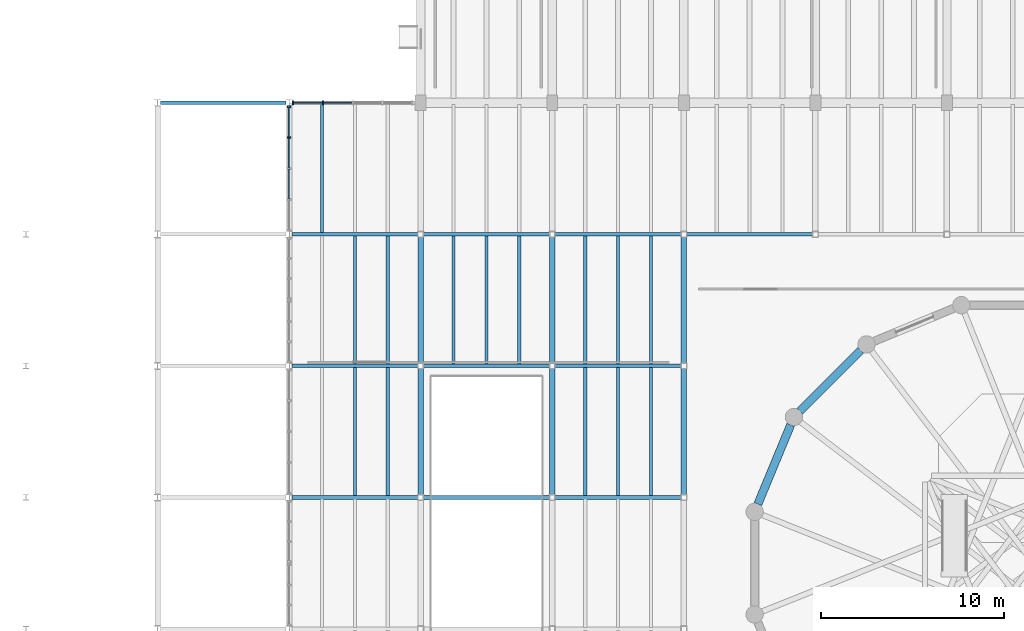
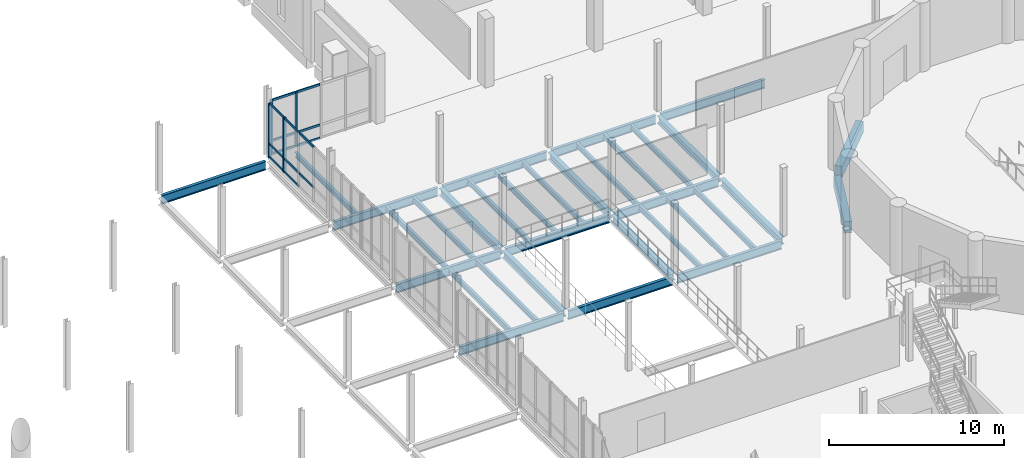
# One storey, part 34 of 77: 33 beams, 18 members, 2 elements without a shape of their own.
"""IFC4 building model written with IfcOpenShell, lengths in metres."""

from ifc_helpers import new_model, si_unit, direction, frame, origin, origin_2d, place, context, subcontext, project, spatial, rectangle, i_section, extrude, material, material_profile, profile_set, type_object, element, aggregate, save


model = new_model("IFC4")

# Units and contexts
model_context = context("Model", 3, precision=1e-05, world=origin(), true_north=direction((0.0, 1.0)))
body_context = subcontext(model_context, "Body", "Model", "MODEL_VIEW")
ifc_project = project(units=[si_unit("LENGTHUNIT", "METRE"), si_unit("AREAUNIT", "SQUARE_METRE"), si_unit("VOLUMEUNIT", "CUBIC_METRE"), si_unit("PLANEANGLEUNIT", "RADIAN"), si_unit("MASSUNIT", "GRAM", prefix="KILO")], contexts=[model_context])

# Site, building, storey
site_placement = place(None, origin())
site = spatial("IfcSite", under=ifc_project, at=site_placement, CompositionType="ELEMENT")
building_placement = place(site_placement, origin())
building = spatial("IfcBuilding", under=site, at=building_placement, Name="Qiaolan Assembly House", CompositionType="ELEMENT")
storey_placement = place(building_placement, frame((0.0, 0.0, 5.39990234375)))
storey = spatial("IfcBuildingStorey", under=building, at=storey_placement, Name="L01", CompositionType="ELEMENT", Elevation=5.39990234375)

# Beams
ifc_material_1 = material(Name="Concrete C40/50", Category="concrete")
ifc_material_profile_1 = material_profile(ifc_material_1, rectangle(XDim=0.449951171875, YDim=0.800048828125, at=origin_2d()), Name="RCB 450x800")
ifc_profile_set_1 = profile_set([ifc_material_profile_1], Name="Concrete C40/50")
beam_type_1 = type_object("IfcBeamType", Name="BM-RC-450x800", PredefinedType="BEAM", material=ifc_profile_set_1)
for number, where, z_axis, x_axis, name in (
    (1, (60.071044921875, 72.84423828125, -0.68994140625), (-0.707132816525, -0.707080744889, 0.0), (0.707080744889, -0.707132816525, 0.0), "GB-03 beam BM-DRUM-L01-05"),
    (2, (56.248779296875, 68.7705078125, -0.68994140625), (-0.382684453598, -0.923879109502, 0.0), (0.923879109502, -0.382684453598, 0.0), "GB-03 beam BM-DRUM-L01-06"),
):
    element("IfcBeam", number, at=place(storey_placement, frame(where, z_axis=z_axis, x_axis=x_axis)), inside=storey, type_object=beam_type_1, Name=name, PredefinedType="BEAM", context=body_context, shape_type="SweptSolid", body=[
        extrude(rectangle(XDim=0.449951171875, YDim=0.800048828125, at=origin_2d()), origin(), (0.0, 0.0, 1.0), 4.6884765625),
    ])
ifc_material_2 = material(Name="Steel Q355B", Category="steel")
ifc_material_profile_2 = material_profile(ifc_material_2, i_section(OverallWidth=0.300048828125, OverallDepth=0.488037109375, WebThickness=0.010986328125, FlangeThickness=0.01806640625, FilletRadius=0.02001953125, at=origin_2d()), Name="HM 488x300x11x18")
ifc_profile_set_2 = profile_set([ifc_material_profile_2], Name="Steel Q355B")
beam_type_2 = type_object("IfcBeamType", Name="BM-STL-HM488", PredefinedType="BEAM", material=ifc_profile_set_2)
for number, where, z_axis, x_axis, name in (
    (3, (36.0, 64.949951171875, -0.5439453125), (0.0, 1.0, 0.0), (-1.0, 0.0, 0.0), "SB-04 beam BMY-HL-L01-02-04"),
    (4, (36.0, 72.14990234375, -0.5439453125), (0.0, 1.0, 0.0), (-1.0, 0.0, 0.0), "SB-04 beam BMY-HL-L01-02-05"),
    (5, (43.199951171875, 64.949951171875, -0.5439453125), (0.0, 1.0, 0.0), (-1.0, 0.0, 0.0), "SB-04 beam BMY-HL-L01-03-04"),
    (6, (43.199951171875, 72.14990234375, -0.5439453125), (0.0, 1.0, 0.0), (-1.0, 0.0, 0.0), "SB-04 beam BMY-HL-L01-03-05"),
    (7, (50.39990234375, 64.949951171875, -0.5439453125), (0.0, 1.0, 0.0), (-1.0, 0.0, 0.0), "SB-04 beam BMY-HL-L01-04-04"),
    (8, (50.39990234375, 72.14990234375, -0.5439453125), (0.0, 1.0, 0.0), (-1.0, 0.0, 0.0), "SB-04 beam BMY-HL-L01-04-05"),
):
    element("IfcBeam", number, at=place(storey_placement, frame(where, z_axis=z_axis, x_axis=x_axis)), inside=storey, type_object=beam_type_2, Name=name, PredefinedType="BEAM", context=body_context, shape_type="SweptSolid", body=[
        extrude(i_section(OverallWidth=0.300048828125, OverallDepth=0.488037109375, WebThickness=0.010986328125, FlangeThickness=0.01806640625, FilletRadius=0.02001953125, at=origin_2d()), origin(), (0.0, 0.0, 1.0), 6.900146484375),
    ])
ifc_material_profile_3 = material_profile(ifc_material_2, i_section(OverallWidth=0.199951171875, OverallDepth=0.60009765625, WebThickness=0.010986328125, FlangeThickness=0.01708984375, FilletRadius=0.02001953125, at=origin_2d()), Name="HN 600x200x11x17")
ifc_profile_set_3 = profile_set([ifc_material_profile_3], Name="Steel Q355B")
beam_type_3 = type_object("IfcBeamType", Name="BM-STL-HN600", PredefinedType="BEAM", material=ifc_profile_set_3)
beam_1_placement = place(storey_placement, frame((28.965087890625, 64.800048828125, -0.599853515625), z_axis=(1.0, 0.0, 0.0), x_axis=(0.0, 1.0, 0.0)))
element("IfcBeam", 9, at=beam_1_placement, inside=storey, type_object=beam_type_3, Name="SB-03 beam BMX-HL-L01-01-04", PredefinedType="BEAM", context=body_context, shape_type="SweptSolid", body=[
    extrude(i_section(OverallWidth=0.199951171875, OverallDepth=0.60009765625, WebThickness=0.010986328125, FlangeThickness=0.01708984375, FilletRadius=0.02001953125, at=origin_2d()), origin(), (0.0, 0.0, 1.0), 6.885009765625),
])
beam_2_placement = place(storey_placement, frame((36.14990234375, 64.800048828125, -0.599853515625), z_axis=(1.0, 0.0, 0.0), x_axis=(0.0, 1.0, 0.0)))
element("IfcBeam", 10, at=beam_2_placement, inside=storey, type_object=beam_type_3, Name="SB-03 beam BMX-HL-L01-02-04", PredefinedType="BEAM", context=body_context, shape_type="SweptSolid", body=[
    extrude(i_section(OverallWidth=0.199951171875, OverallDepth=0.60009765625, WebThickness=0.010986328125, FlangeThickness=0.01708984375, FilletRadius=0.02001953125, at=origin_2d()), origin(), (0.0, 0.0, 1.0), 6.900146484375),
])
beam_3_placement = place(storey_placement, frame((43.35009765625, 64.800048828125, -0.599853515625), z_axis=(1.0, 0.0, 0.0), x_axis=(0.0, 1.0, 0.0)))
element("IfcBeam", 11, at=beam_3_placement, inside=storey, type_object=beam_type_3, Name="SB-03 beam BMX-HL-L01-03-04", PredefinedType="BEAM", context=body_context, shape_type="SweptSolid", body=[
    extrude(i_section(OverallWidth=0.199951171875, OverallDepth=0.60009765625, WebThickness=0.010986328125, FlangeThickness=0.01708984375, FilletRadius=0.02001953125, at=origin_2d()), origin(), (0.0, 0.0, 1.0), 6.89990234375),
])
beam_4_placement = place(storey_placement, frame((28.965087890625, 72.0, -0.599853515625), z_axis=(1.0, 0.0, 0.0), x_axis=(0.0, 1.0, 0.0)))
element("IfcBeam", 12, at=beam_4_placement, inside=storey, type_object=beam_type_3, Name="SB-03 beam BMX-HL-L01-01-05", PredefinedType="BEAM", context=body_context, shape_type="SweptSolid", body=[
    extrude(i_section(OverallWidth=0.199951171875, OverallDepth=0.60009765625, WebThickness=0.010986328125, FlangeThickness=0.01708984375, FilletRadius=0.02001953125, at=origin_2d()), origin(), (0.0, 0.0, 1.0), 6.885009765625),
])
beam_5_placement = place(storey_placement, frame((36.14990234375, 72.0, -0.599853515625), z_axis=(1.0, 0.0, 0.0), x_axis=(0.0, 1.0, 0.0)))
element("IfcBeam", 13, at=beam_5_placement, inside=storey, type_object=beam_type_3, Name="SB-03 beam BMX-HL-L01-02-05", PredefinedType="BEAM", context=body_context, shape_type="SweptSolid", body=[
    extrude(i_section(OverallWidth=0.199951171875, OverallDepth=0.60009765625, WebThickness=0.010986328125, FlangeThickness=0.01708984375, FilletRadius=0.02001953125, at=origin_2d()), origin(), (0.0, 0.0, 1.0), 6.900146484375),
])
beam_6_placement = place(storey_placement, frame((43.35009765625, 72.0, -0.599853515625), z_axis=(1.0, 0.0, 0.0), x_axis=(0.0, 1.0, 0.0)))
element("IfcBeam", 14, at=beam_6_placement, inside=storey, type_object=beam_type_3, Name="SB-03 beam BMX-HL-L01-03-05", PredefinedType="BEAM", context=body_context, shape_type="SweptSolid", body=[
    extrude(i_section(OverallWidth=0.199951171875, OverallDepth=0.60009765625, WebThickness=0.010986328125, FlangeThickness=0.01708984375, FilletRadius=0.02001953125, at=origin_2d()), origin(), (0.0, 0.0, 1.0), 6.89990234375),
])
beam_7_placement = place(storey_placement, frame((28.965087890625, 79.199951171875, -0.599853515625), z_axis=(1.0, 0.0, 0.0), x_axis=(0.0, 1.0, 0.0)))
element("IfcBeam", 15, at=beam_7_placement, inside=storey, type_object=beam_type_3, Name="SB-03 beam BMX-HL-L01-01-06", PredefinedType="BEAM", context=body_context, shape_type="SweptSolid", body=[
    extrude(i_section(OverallWidth=0.199951171875, OverallDepth=0.60009765625, WebThickness=0.010986328125, FlangeThickness=0.01708984375, FilletRadius=0.02001953125, at=origin_2d()), origin(), (0.0, 0.0, 1.0), 6.885009765625),
])
beam_8_placement = place(storey_placement, frame((36.14990234375, 79.199951171875, -0.599853515625), z_axis=(1.0, 0.0, 0.0), x_axis=(0.0, 1.0, 0.0)))
element("IfcBeam", 16, at=beam_8_placement, inside=storey, type_object=beam_type_3, Name="SB-03 beam BMX-HL-L01-02-06", PredefinedType="BEAM", context=body_context, shape_type="SweptSolid", body=[
    extrude(i_section(OverallWidth=0.199951171875, OverallDepth=0.60009765625, WebThickness=0.010986328125, FlangeThickness=0.01708984375, FilletRadius=0.02001953125, at=origin_2d()), origin(), (0.0, 0.0, 1.0), 6.900146484375),
])
for number, where, z_axis, x_axis, name in (
    (17, (43.35009765625, 79.199951171875, -0.599853515625), (1.0, 0.0, 0.0), (0.0, 1.0, 0.0), "SB-03 beam BMX-HL-L01-03-06"),
    (18, (50.550048828125, 79.199951171875, -0.599853515625), (1.0, 0.0, 0.0), (0.0, 1.0, 0.0), "SB-03 beam BMX-HL-L01-04-06"),
):
    element("IfcBeam", number, at=place(storey_placement, frame(where, z_axis=z_axis, x_axis=x_axis)), inside=storey, type_object=beam_type_3, Name=name, PredefinedType="BEAM", context=body_context, shape_type="SweptSolid", body=[
        extrude(i_section(OverallWidth=0.199951171875, OverallDepth=0.60009765625, WebThickness=0.010986328125, FlangeThickness=0.01708984375, FilletRadius=0.02001953125, at=origin_2d()), origin(), (0.0, 0.0, 1.0), 6.89990234375),
    ])
beam_9_placement = place(storey_placement, frame((21.764892578125, 86.39990234375, -0.599853515625), z_axis=(1.0, 0.0, 0.0), x_axis=(0.0, 1.0, 0.0)))
element("IfcBeam", 19, at=beam_9_placement, inside=storey, type_object=beam_type_3, Name="SB-03 beam BMX-HL-L01-00-07", PredefinedType="BEAM", context=body_context, shape_type="SweptSolid", body=[
    extrude(i_section(OverallWidth=0.199951171875, OverallDepth=0.60009765625, WebThickness=0.010986328125, FlangeThickness=0.01708984375, FilletRadius=0.02001953125, at=origin_2d()), origin(), (0.0, 0.0, 1.0), 6.8701171875),
])

# Curtain wall, members
ifc_material_3 = material(Name="Anodised bronze aluminium", Category="aluminium")
curtain_wall_type = type_object("IfcCurtainWallType", Name="CW-HALL-UPPER-480", PredefinedType="NOTDEFINED", material=ifc_material_3)
curtain_wall_1_placement = place(storey_placement, origin())
curtain_wall_1 = element("IfcCurtainWall", 20, at=curtain_wall_1_placement, inside=storey, type_object=curtain_wall_type, Name="CW-01 Hall West facade L01-6", PredefinedType="NOTDEFINED")
ifc_material_profile_4 = material_profile(ifc_material_3, rectangle(XDim=0.0859375, YDim=0.199951171875, at=origin_2d()), Name="MUL 86x200")
ifc_profile_set_4 = profile_set([ifc_material_profile_4], Name="Anodised bronze aluminium")
member_type_1 = type_object("IfcMemberType", Name="CW-HALL-UPPER-480-MUL", PredefinedType="MULLION", material=ifc_profile_set_4)
member_1_placement = place(storey_placement, frame((28.800048828125, 84.489990234375, 0.0), z_axis=(0.0, 0.0, 1.0), x_axis=(0.0, 1.0, 0.0)))
member_1 = element("IfcMember", 21, at=member_1_placement, type_object=member_type_1, Name="ML-02 mullion CW-HALL-W-L01-6-4", PredefinedType="MULLION", context=body_context, shape_type="SweptSolid", body=[
    extrude(rectangle(XDim=0.0859375, YDim=0.199951171875, at=origin_2d()), origin(), (0.0, 0.0, 1.0), 3.800048828125),
])
member_2_placement = place(storey_placement, frame((28.800048828125, 86.179931640625, 0.0), z_axis=(0.0, 0.0, 1.0), x_axis=(0.0, 1.0, 0.0)))
member_2 = element("IfcMember", 22, at=member_2_placement, type_object=member_type_1, Name="ML-02 mullion CW-HALL-W-L01-6-5", PredefinedType="MULLION", context=body_context, shape_type="SweptSolid", body=[
    extrude(rectangle(XDim=0.0859375, YDim=0.199951171875, at=origin_2d()), origin(), (0.0, 0.0, 1.0), 3.800048828125),
])

curtain_wall_2_placement = place(storey_placement, origin())
curtain_wall_2 = element("IfcCurtainWall", 23, at=curtain_wall_2_placement, inside=storey, type_object=curtain_wall_type, Name="CW-02 Hall North-West link CW L01", PredefinedType="NOTDEFINED")
member_3_placement = place(storey_placement, frame((30.64501953125, 86.39990234375, 0.0), z_axis=(0.0, 0.0, 1.0), x_axis=(-1.0, 0.0, 0.0)))
member_3 = element("IfcMember", 24, at=member_3_placement, type_object=member_type_1, Name="ML-02 mullion CW-HALL-NWJ-L01-4", PredefinedType="MULLION", context=body_context, shape_type="SweptSolid", body=[
    extrude(rectangle(XDim=0.0859375, YDim=0.199951171875, at=origin_2d()), origin(), (0.0, 0.0, 1.0), 3.800048828125),
])
member_4_placement = place(storey_placement, frame((29.02001953125, 86.39990234375, 0.0), z_axis=(0.0, 0.0, 1.0), x_axis=(-1.0, 0.0, 0.0)))
member_4 = element("IfcMember", 25, at=member_4_placement, type_object=member_type_1, Name="ML-02 mullion CW-HALL-NWJ-L01-5", PredefinedType="MULLION", context=body_context, shape_type="SweptSolid", body=[
    extrude(rectangle(XDim=0.0859375, YDim=0.199951171875, at=origin_2d()), origin(), (0.0, 0.0, 1.0), 3.800048828125),
])

# Member
ifc_material_profile_5 = material_profile(ifc_material_3, rectangle(XDim=0.075927734375, YDim=0.14990234375, at=origin_2d()), Name="TRN 76x150")
ifc_profile_set_5 = profile_set([ifc_material_profile_5], Name="Anodised bronze aluminium")
member_type_2 = type_object("IfcMemberType", Name="CW-HALL-UPPER-480-TRN", PredefinedType="USERDEFINED", material=ifc_profile_set_5)
member_5_placement = place(storey_placement, frame((28.800048828125, 81.153076171875, 0.9501953125), z_axis=(0.0, 1.0, 0.0), x_axis=(-1.0, 0.0, 0.0)))
member_5 = element("IfcMember", 26, at=member_5_placement, type_object=member_type_2, Name="TR-02 transom CW-HALL-W-L01-6-2-2", ObjectType="TRANSOM", PredefinedType="USERDEFINED", context=body_context, shape_type="SweptSolid", body=[
    extrude(rectangle(XDim=0.075927734375, YDim=0.14990234375, at=origin_2d()), origin(), (0.0, 0.0, 1.0), 1.60400390625),
])

member_6_placement = place(storey_placement, frame((28.800048828125, 81.153076171875, 3.77001953125), z_axis=(0.0, 1.0, 0.0), x_axis=(-1.0, 0.0, 0.0)))
member_6 = element("IfcMember", 27, at=member_6_placement, type_object=member_type_2, Name="TR-02 transom CW-HALL-W-L01-6-2-3", ObjectType="TRANSOM", PredefinedType="USERDEFINED", context=body_context, shape_type="SweptSolid", body=[
    extrude(rectangle(XDim=0.075927734375, YDim=0.14990234375, at=origin_2d()), origin(), (0.0, 0.0, 1.0), 1.60400390625),
])

member_7_placement = place(storey_placement, frame((28.800048828125, 82.843017578125, 0.030029296875), z_axis=(0.0, 1.0, 0.0), x_axis=(-1.0, 0.0, 0.0)))
member_7 = element("IfcMember", 28, at=member_7_placement, type_object=member_type_2, Name="TR-02 transom CW-HALL-W-L01-6-3-1", ObjectType="TRANSOM", PredefinedType="USERDEFINED", context=body_context, shape_type="SweptSolid", body=[
    extrude(rectangle(XDim=0.075927734375, YDim=0.14990234375, at=origin_2d()), origin(), (0.0, 0.0, 1.0), 1.60400390625),
])

member_8_placement = place(storey_placement, frame((28.800048828125, 82.843017578125, 0.9501953125), z_axis=(0.0, 1.0, 0.0), x_axis=(-1.0, 0.0, 0.0)))
member_8 = element("IfcMember", 29, at=member_8_placement, type_object=member_type_2, Name="TR-02 transom CW-HALL-W-L01-6-3-2", ObjectType="TRANSOM", PredefinedType="USERDEFINED", context=body_context, shape_type="SweptSolid", body=[
    extrude(rectangle(XDim=0.075927734375, YDim=0.14990234375, at=origin_2d()), origin(), (0.0, 0.0, 1.0), 1.60400390625),
])

member_9_placement = place(storey_placement, frame((28.800048828125, 82.843017578125, 3.77001953125), z_axis=(0.0, 1.0, 0.0), x_axis=(-1.0, 0.0, 0.0)))
member_9 = element("IfcMember", 30, at=member_9_placement, type_object=member_type_2, Name="TR-02 transom CW-HALL-W-L01-6-3-3", ObjectType="TRANSOM", PredefinedType="USERDEFINED", context=body_context, shape_type="SweptSolid", body=[
    extrude(rectangle(XDim=0.075927734375, YDim=0.14990234375, at=origin_2d()), origin(), (0.0, 0.0, 1.0), 1.60400390625),
])

member_10_placement = place(storey_placement, frame((28.800048828125, 84.532958984375, 0.030029296875), z_axis=(0.0, 1.0, 0.0), x_axis=(-1.0, 0.0, 0.0)))
member_10 = element("IfcMember", 31, at=member_10_placement, type_object=member_type_2, Name="TR-02 transom CW-HALL-W-L01-6-4-1", ObjectType="TRANSOM", PredefinedType="USERDEFINED", context=body_context, shape_type="SweptSolid", body=[
    extrude(rectangle(XDim=0.075927734375, YDim=0.14990234375, at=origin_2d()), origin(), (0.0, 0.0, 1.0), 1.60400390625),
])

member_11_placement = place(storey_placement, frame((28.800048828125, 84.532958984375, 0.9501953125), z_axis=(0.0, 1.0, 0.0), x_axis=(-1.0, 0.0, 0.0)))
member_11 = element("IfcMember", 32, at=member_11_placement, type_object=member_type_2, Name="TR-02 transom CW-HALL-W-L01-6-4-2", ObjectType="TRANSOM", PredefinedType="USERDEFINED", context=body_context, shape_type="SweptSolid", body=[
    extrude(rectangle(XDim=0.075927734375, YDim=0.14990234375, at=origin_2d()), origin(), (0.0, 0.0, 1.0), 1.60400390625),
])

member_12_placement = place(storey_placement, frame((28.800048828125, 84.532958984375, 3.77001953125), z_axis=(0.0, 1.0, 0.0), x_axis=(-1.0, 0.0, 0.0)))
member_12 = element("IfcMember", 33, at=member_12_placement, type_object=member_type_2, Name="TR-02 transom CW-HALL-W-L01-6-4-3", ObjectType="TRANSOM", PredefinedType="USERDEFINED", context=body_context, shape_type="SweptSolid", body=[
    extrude(rectangle(XDim=0.075927734375, YDim=0.14990234375, at=origin_2d()), origin(), (0.0, 0.0, 1.0), 1.60400390625),
])

aggregate(curtain_wall_1, [member_1, member_2, member_5, member_6, member_7, member_8, member_9, member_10, member_11, member_12])

member_13_placement = place(storey_placement, frame((32.22705078125, 86.39990234375, 0.030029296875), z_axis=(-1.0, 0.0, 0.0), x_axis=(0.0, -1.0, 0.0)))
member_13 = element("IfcMember", 34, at=member_13_placement, type_object=member_type_2, Name="TR-02 transom CW-HALL-NWJ-L01-3-1", ObjectType="TRANSOM", PredefinedType="USERDEFINED", context=body_context, shape_type="SweptSolid", body=[
    extrude(rectangle(XDim=0.075927734375, YDim=0.14990234375, at=origin_2d()), origin(), (0.0, 0.0, 1.0), 1.5390625),
])

member_14_placement = place(storey_placement, frame((32.22705078125, 86.39990234375, 0.9501953125), z_axis=(-1.0, 0.0, 0.0), x_axis=(0.0, -1.0, 0.0)))
member_14 = element("IfcMember", 35, at=member_14_placement, type_object=member_type_2, Name="TR-02 transom CW-HALL-NWJ-L01-3-2", ObjectType="TRANSOM", PredefinedType="USERDEFINED", context=body_context, shape_type="SweptSolid", body=[
    extrude(rectangle(XDim=0.075927734375, YDim=0.14990234375, at=origin_2d()), origin(), (0.0, 0.0, 1.0), 1.5390625),
])

member_15_placement = place(storey_placement, frame((32.22705078125, 86.39990234375, 3.77001953125), z_axis=(-1.0, 0.0, 0.0), x_axis=(0.0, -1.0, 0.0)))
member_15 = element("IfcMember", 36, at=member_15_placement, type_object=member_type_2, Name="TR-02 transom CW-HALL-NWJ-L01-3-3", ObjectType="TRANSOM", PredefinedType="USERDEFINED", context=body_context, shape_type="SweptSolid", body=[
    extrude(rectangle(XDim=0.075927734375, YDim=0.14990234375, at=origin_2d()), origin(), (0.0, 0.0, 1.0), 1.5390625),
])

member_16_placement = place(storey_placement, frame((30.60205078125, 86.39990234375, 0.030029296875), z_axis=(-1.0, 0.0, 0.0), x_axis=(0.0, -1.0, 0.0)))
member_16 = element("IfcMember", 37, at=member_16_placement, type_object=member_type_2, Name="TR-02 transom CW-HALL-NWJ-L01-4-1", ObjectType="TRANSOM", PredefinedType="USERDEFINED", context=body_context, shape_type="SweptSolid", body=[
    extrude(rectangle(XDim=0.075927734375, YDim=0.14990234375, at=origin_2d()), origin(), (0.0, 0.0, 1.0), 1.5390625),
])

member_17_placement = place(storey_placement, frame((30.60205078125, 86.39990234375, 0.9501953125), z_axis=(-1.0, 0.0, 0.0), x_axis=(0.0, -1.0, 0.0)))
member_17 = element("IfcMember", 38, at=member_17_placement, type_object=member_type_2, Name="TR-02 transom CW-HALL-NWJ-L01-4-2", ObjectType="TRANSOM", PredefinedType="USERDEFINED", context=body_context, shape_type="SweptSolid", body=[
    extrude(rectangle(XDim=0.075927734375, YDim=0.14990234375, at=origin_2d()), origin(), (0.0, 0.0, 1.0), 1.5390625),
])

member_18_placement = place(storey_placement, frame((30.60205078125, 86.39990234375, 3.77001953125), z_axis=(-1.0, 0.0, 0.0), x_axis=(0.0, -1.0, 0.0)))
member_18 = element("IfcMember", 39, at=member_18_placement, type_object=member_type_2, Name="TR-02 transom CW-HALL-NWJ-L01-4-3", ObjectType="TRANSOM", PredefinedType="USERDEFINED", context=body_context, shape_type="SweptSolid", body=[
    extrude(rectangle(XDim=0.075927734375, YDim=0.14990234375, at=origin_2d()), origin(), (0.0, 0.0, 1.0), 1.5390625),
])

aggregate(curtain_wall_2, [member_3, member_4, member_13, member_14, member_15, member_16, member_17, member_18])

# Beams
ifc_material_profile_6 = material_profile(ifc_material_2, i_section(OverallWidth=0.179931640625, OverallDepth=0.360107421875, WebThickness=0.008056640625, FlangeThickness=0.011962890625, FilletRadius=0.013916015625, at=origin_2d()), Name="HN 360x180x8x12")
ifc_profile_set_6 = profile_set([ifc_material_profile_6], Name="Steel Q355B")
beam_type_4 = type_object("IfcBeamType", Name="JST-STL-HN360", PredefinedType="JOIST", material=ifc_profile_set_6)
for number, where, z_axis, x_axis, name in (
    (40, (32.39990234375, 64.89404296875, -0.47998046875), (0.0, 1.0, 0.0), (-1.0, 0.0, 0.0), "SJ-06 beam JST-HL-L01-01-04-2"),
    (41, (34.199951171875, 64.89404296875, -0.47998046875), (0.0, 1.0, 0.0), (-1.0, 0.0, 0.0), "SJ-06 beam JST-HL-L01-01-04-3"),
    (42, (32.39990234375, 72.093994140625, -0.47998046875), (0.0, 1.0, 0.0), (-1.0, 0.0, 0.0), "SJ-06 beam JST-HL-L01-01-05-2"),
    (43, (34.199951171875, 72.093994140625, -0.47998046875), (0.0, 1.0, 0.0), (-1.0, 0.0, 0.0), "SJ-06 beam JST-HL-L01-01-05-3"),
    (44, (30.60009765625, 79.2939453125, -0.47998046875), (0.0, 1.0, 0.0), (-1.0, 0.0, 0.0), "SJ-06 beam JST-HL-L01-01-06-1"),
    (45, (37.800048828125, 72.093994140625, -0.47998046875), (0.0, 1.0, 0.0), (-1.0, 0.0, 0.0), "SJ-06 beam JST-HL-L01-02-05-1"),
    (46, (39.60009765625, 72.093994140625, -0.47998046875), (0.0, 1.0, 0.0), (-1.0, 0.0, 0.0), "SJ-06 beam JST-HL-L01-02-05-2"),
    (47, (41.39990234375, 72.093994140625, -0.47998046875), (0.0, 1.0, 0.0), (-1.0, 0.0, 0.0), "SJ-06 beam JST-HL-L01-02-05-3"),
    (48, (45.0, 64.89404296875, -0.47998046875), (0.0, 1.0, 0.0), (-1.0, 0.0, 0.0), "SJ-06 beam JST-HL-L01-03-04-1"),
    (49, (46.800048828125, 64.89404296875, -0.47998046875), (0.0, 1.0, 0.0), (-1.0, 0.0, 0.0), "SJ-06 beam JST-HL-L01-03-04-2"),
    (50, (48.60009765625, 64.89404296875, -0.47998046875), (0.0, 1.0, 0.0), (-1.0, 0.0, 0.0), "SJ-06 beam JST-HL-L01-03-04-3"),
    (51, (45.0, 72.093994140625, -0.47998046875), (0.0, 1.0, 0.0), (-1.0, 0.0, 0.0), "SJ-06 beam JST-HL-L01-03-05-1"),
    (52, (46.800048828125, 72.093994140625, -0.47998046875), (0.0, 1.0, 0.0), (-1.0, 0.0, 0.0), "SJ-06 beam JST-HL-L01-03-05-2"),
    (53, (48.60009765625, 72.093994140625, -0.47998046875), (0.0, 1.0, 0.0), (-1.0, 0.0, 0.0), "SJ-06 beam JST-HL-L01-03-05-3"),
):
    element("IfcBeam", number, at=place(storey_placement, frame(where, z_axis=z_axis, x_axis=x_axis)), inside=storey, type_object=beam_type_4, Name=name, PredefinedType="JOIST", context=body_context, shape_type="SweptSolid", body=[
        extrude(i_section(OverallWidth=0.179931640625, OverallDepth=0.360107421875, WebThickness=0.008056640625, FlangeThickness=0.011962890625, FilletRadius=0.013916015625, at=origin_2d()), origin(), (0.0, 0.0, 1.0), 7.011962890625),
    ])

save(model, "model.ifc")
